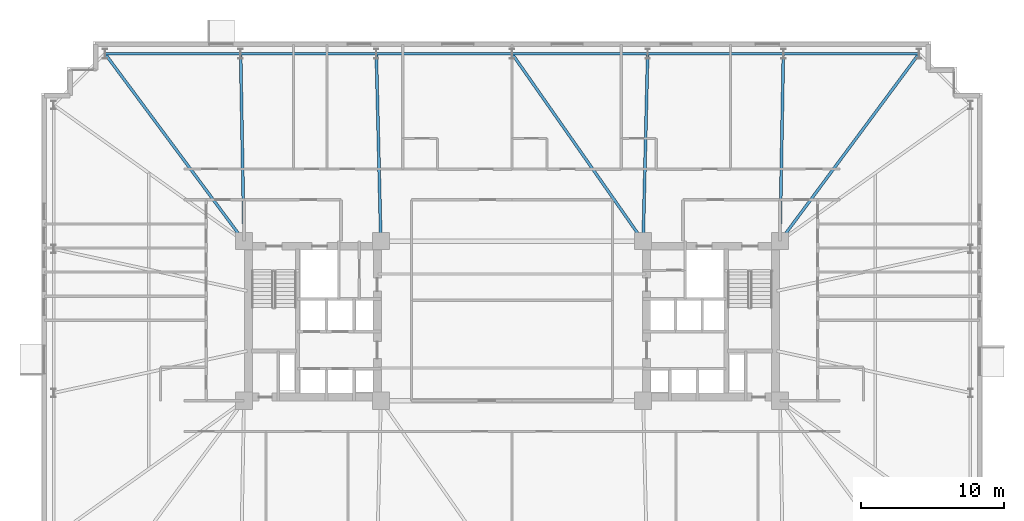
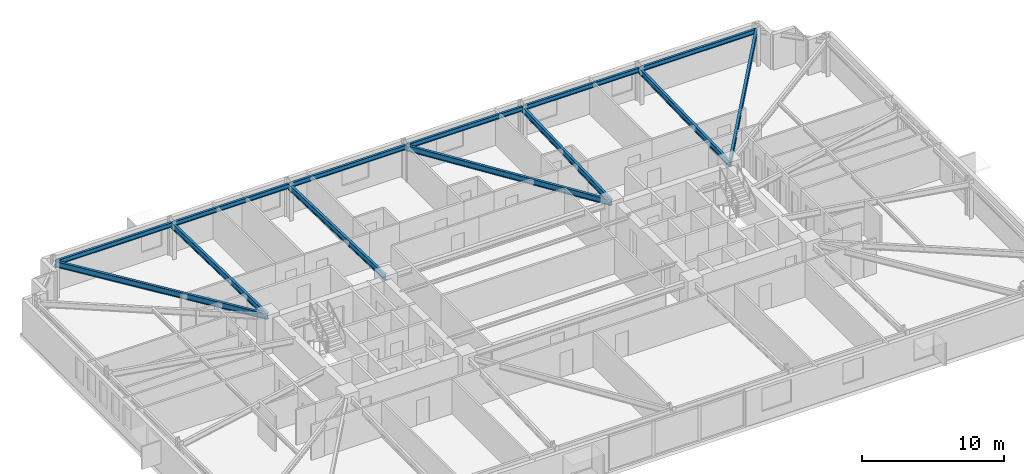
# One storey, part 13 of 24: 13 beams.
"""IFC4 building model written with IfcOpenShell, lengths in metres."""

from ifc_helpers import new_model, si_unit, direction, frame, origin, origin_2d, place, context, subcontext, project, spatial, i_section, extrude, material, material_profile, profile_set, type_object, element, save


model = new_model("IFC4")

# Units and contexts
model_context = context("Model", 3, precision=1e-05, world=origin(), true_north=direction((0.0, 1.0)))
body_context = subcontext(model_context, "Body", "Model", "MODEL_VIEW")
ifc_project = project(units=[si_unit("LENGTHUNIT", "METRE"), si_unit("AREAUNIT", "SQUARE_METRE"), si_unit("VOLUMEUNIT", "CUBIC_METRE"), si_unit("PLANEANGLEUNIT", "RADIAN"), si_unit("MASSUNIT", "GRAM", prefix="KILO")], contexts=[model_context])

# Site, building, storey
site_placement = place(None, origin())
site = spatial("IfcSite", under=ifc_project, at=site_placement, CompositionType="ELEMENT")
building_placement = place(site_placement, origin())
building = spatial("IfcBuilding", under=site, at=building_placement, Name="Qobustan Lattice House", CompositionType="ELEMENT")
storey_placement = place(building_placement, frame((0.0, 0.0, 50.449951171875)))
storey = spatial("IfcBuildingStorey", under=building, at=storey_placement, Name="L13", CompositionType="ELEMENT", Elevation=50.449951171875)

# Beams
ifc_material_1 = material(Name="Steel S355", Category="steel")
ifc_material_profile_1 = material_profile(ifc_material_1, i_section(OverallWidth=0.199951171875, OverallDepth=0.5, WebThickness=0.01025390625, FlangeThickness=0.01611328125, FilletRadius=0.02099609375, at=origin_2d()), Name="IPE500")
ifc_profile_set_1 = profile_set([ifc_material_profile_1], Name="Steel S355")
beam_type_1 = type_object("IfcBeamType", Name="BM-FLG-IPE500", PredefinedType="USERDEFINED", material=ifc_profile_set_1)
beam_1_placement = place(storey_placement, frame((-28.53515625, 18.72998046875, 2.78515625), z_axis=(0.5955916815, -0.803287338956, 0.0), x_axis=(0.803287338956, 0.5955916815, 0.0)))
element("IfcBeam", 1, at=beam_1_placement, inside=storey, type_object=beam_type_1, Name="L13 primary floor girder RAD-N7W", ObjectType="GIRDER", PredefinedType="USERDEFINED", context=body_context, shape_type="SweptSolid", body=[
    extrude(i_section(OverallWidth=0.199951171875, OverallDepth=0.5, WebThickness=0.01025390625, FlangeThickness=0.01611328125, FilletRadius=0.02099609375, at=origin_2d()), origin(), (0.0, 0.0, 1.0), 16.3203125),
])
beam_2_placement = place(storey_placement, frame((-19.032958984375, 18.72509765625, 2.78515625), z_axis=(0.017757831607, -0.999842317276, 0.0), x_axis=(0.999842317276, 0.017757831607, 0.0)))
element("IfcBeam", 2, at=beam_2_placement, inside=storey, type_object=beam_type_1, Name="L13 primary floor girder RAD-N6", ObjectType="GIRDER", PredefinedType="USERDEFINED", context=body_context, shape_type="SweptSolid", body=[
    extrude(i_section(OverallWidth=0.199951171875, OverallDepth=0.5, WebThickness=0.01025390625, FlangeThickness=0.01611328125, FilletRadius=0.02099609375, at=origin_2d()), origin(), (0.0, 0.0, 1.0), 13.10205078125),
])
beam_3_placement = place(storey_placement, frame((-9.51611328125, 18.72509765625, 2.78515625), z_axis=(0.024071445657, -0.999710240772, 0.0), x_axis=(0.999710240772, 0.024071445657, 0.0)))
element("IfcBeam", 3, at=beam_3_placement, inside=storey, type_object=beam_type_1, Name="L13 primary floor girder RAD-N5", ObjectType="GIRDER", PredefinedType="USERDEFINED", context=body_context, shape_type="SweptSolid", body=[
    extrude(i_section(OverallWidth=0.199951171875, OverallDepth=0.5, WebThickness=0.01025390625, FlangeThickness=0.01611328125, FilletRadius=0.02099609375, at=origin_2d()), origin(), (0.0, 0.0, 1.0), 13.10400390625),
])
beam_4_placement = place(storey_placement, frame((0.014404296875, 18.7294921875, 2.78515625), z_axis=(0.57325954206, -0.819373844736, 0.0), x_axis=(0.819373844736, 0.57325954206, 0.0)))
element("IfcBeam", 4, at=beam_4_placement, inside=storey, type_object=beam_type_1, Name="L13 primary floor girder RAD-N4", ObjectType="GIRDER", PredefinedType="USERDEFINED", context=body_context, shape_type="SweptSolid", body=[
    extrude(i_section(OverallWidth=0.199951171875, OverallDepth=0.5, WebThickness=0.01025390625, FlangeThickness=0.01611328125, FilletRadius=0.02099609375, at=origin_2d()), origin(), (0.0, 0.0, 1.0), 15.998779296875),
])
beam_5_placement = place(storey_placement, frame((9.51611328125, 18.72509765625, 2.78515625), z_axis=(-0.024071445657, -0.999710240772, 0.0), x_axis=(0.999710240772, -0.024071445657, 0.0)))
element("IfcBeam", 5, at=beam_5_placement, inside=storey, type_object=beam_type_1, Name="L13 primary floor girder RAD-N3", ObjectType="GIRDER", PredefinedType="USERDEFINED", context=body_context, shape_type="SweptSolid", body=[
    extrude(i_section(OverallWidth=0.199951171875, OverallDepth=0.5, WebThickness=0.01025390625, FlangeThickness=0.01611328125, FilletRadius=0.02099609375, at=origin_2d()), origin(), (0.0, 0.0, 1.0), 13.10400390625),
])
beam_6_placement = place(storey_placement, frame((19.032958984375, 18.72509765625, 2.78515625), z_axis=(-0.017757831607, -0.999842317276, 0.0), x_axis=(0.999842317276, -0.017757831607, 0.0)))
element("IfcBeam", 6, at=beam_6_placement, inside=storey, type_object=beam_type_1, Name="L13 primary floor girder RAD-N2", ObjectType="GIRDER", PredefinedType="USERDEFINED", context=body_context, shape_type="SweptSolid", body=[
    extrude(i_section(OverallWidth=0.199951171875, OverallDepth=0.5, WebThickness=0.01025390625, FlangeThickness=0.01611328125, FilletRadius=0.02099609375, at=origin_2d()), origin(), (0.0, 0.0, 1.0), 13.10205078125),
])
beam_7_placement = place(storey_placement, frame((28.53515625, 18.72998046875, 2.78515625), z_axis=(-0.5955916815, -0.803287338956, 0.0), x_axis=(0.803287338956, -0.5955916815, 0.0)))
element("IfcBeam", 7, at=beam_7_placement, inside=storey, type_object=beam_type_1, Name="L13 primary floor girder RAD-N1E", ObjectType="GIRDER", PredefinedType="USERDEFINED", context=body_context, shape_type="SweptSolid", body=[
    extrude(i_section(OverallWidth=0.199951171875, OverallDepth=0.5, WebThickness=0.01025390625, FlangeThickness=0.01611328125, FilletRadius=0.02099609375, at=origin_2d()), origin(), (0.0, 0.0, 1.0), 16.3203125),
])
ifc_material_2 = material(Name="Steel S355", Category="steel")
ifc_material_profile_2 = material_profile(ifc_material_2, i_section(OverallWidth=0.179931640625, OverallDepth=0.39990234375, WebThickness=0.008544921875, FlangeThickness=0.013427734375, FilletRadius=0.02099609375, at=origin_2d()), Name="IPE400")
ifc_profile_set_2 = profile_set([ifc_material_profile_2], Name="Steel S355")
beam_type_2 = type_object("IfcBeamType", Name="BM-SPD-IPE400", PredefinedType="SPANDREL", material=ifc_profile_set_2)
for number, where, z_axis, x_axis, name in (
    (8, (28.52490234375, 18.75, 2.8349609375), (-1.0, 0.0, 0.0), (0.0, -1.0, 0.0), "L13 perimeter spandrel N1-N2"),
    (9, (19.00830078125, 18.75, 2.8349609375), (-1.0, 0.0, 0.0), (0.0, -1.0, 0.0), "L13 perimeter spandrel N2-N3"),
):
    element("IfcBeam", number, at=place(storey_placement, frame(where, z_axis=z_axis, x_axis=x_axis)), inside=storey, type_object=beam_type_2, Name=name, PredefinedType="SPANDREL", context=body_context, shape_type="SweptSolid", body=[
        extrude(i_section(OverallWidth=0.179931640625, OverallDepth=0.39990234375, WebThickness=0.008544921875, FlangeThickness=0.013427734375, FilletRadius=0.02099609375, at=origin_2d()), origin(), (0.0, 0.0, 1.0), 9.466552734375),
    ])
for number, where, z_axis, x_axis, name in (
    (10, (9.49169921875, 18.75, 2.8349609375), (-1.0, 0.0, 0.0), (0.0, -1.0, 0.0), "L13 perimeter spandrel N3-N4"),
    (11, (-0.02490234375, 18.75, 2.8349609375), (-1.0, 0.0, 0.0), (0.0, -1.0, 0.0), "L13 perimeter spandrel N4-N5"),
):
    element("IfcBeam", number, at=place(storey_placement, frame(where, z_axis=z_axis, x_axis=x_axis)), inside=storey, type_object=beam_type_2, Name=name, PredefinedType="SPANDREL", context=body_context, shape_type="SweptSolid", body=[
        extrude(i_section(OverallWidth=0.179931640625, OverallDepth=0.39990234375, WebThickness=0.008544921875, FlangeThickness=0.013427734375, FilletRadius=0.02099609375, at=origin_2d()), origin(), (0.0, 0.0, 1.0), 9.466796875),
    ])
for number, where, z_axis, x_axis, name in (
    (12, (-9.541748046875, 18.75, 2.8349609375), (-1.0, 0.0, 0.0), (0.0, -1.0, 0.0), "L13 perimeter spandrel N5-N6"),
    (13, (-19.058349609375, 18.75, 2.8349609375), (-1.0, 0.0, 0.0), (0.0, -1.0, 0.0), "L13 perimeter spandrel N6-N7"),
):
    element("IfcBeam", number, at=place(storey_placement, frame(where, z_axis=z_axis, x_axis=x_axis)), inside=storey, type_object=beam_type_2, Name=name, PredefinedType="SPANDREL", context=body_context, shape_type="SweptSolid", body=[
        extrude(i_section(OverallWidth=0.179931640625, OverallDepth=0.39990234375, WebThickness=0.008544921875, FlangeThickness=0.013427734375, FilletRadius=0.02099609375, at=origin_2d()), origin(), (0.0, 0.0, 1.0), 9.466552734375),
    ])

save(model, "model.ifc")
